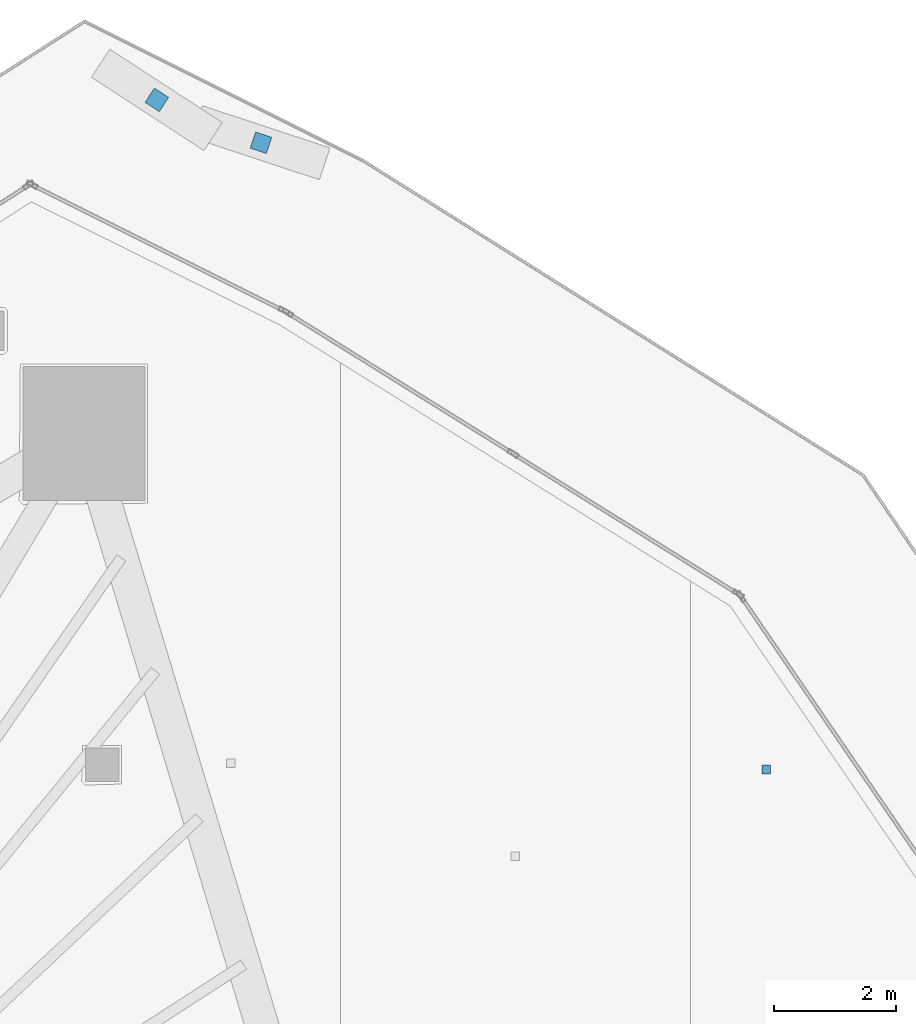
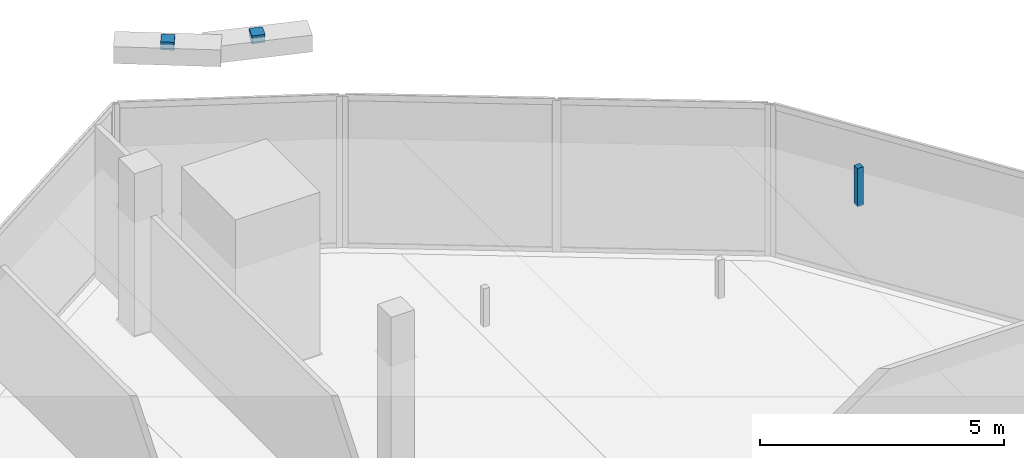
# One storey, part 32 of 39: 3 discrete accessories.
"""IFC4 building model written with IfcOpenShell, lengths in metres."""

from ifc_helpers import new_model, si_unit, direction, frame, origin, origin_2d, place, context, subcontext, project, spatial, rectangle, extrude, material, type_object, element, save


model = new_model("IFC4")

# Units and contexts
model_context = context("Model", 3, precision=1e-05, world=origin(), true_north=direction((0.0, 1.0)))
body_context = subcontext(model_context, "Body", "Model", "MODEL_VIEW")
ifc_project = project(units=[si_unit("LENGTHUNIT", "METRE"), si_unit("AREAUNIT", "SQUARE_METRE"), si_unit("VOLUMEUNIT", "CUBIC_METRE"), si_unit("PLANEANGLEUNIT", "RADIAN"), si_unit("MASSUNIT", "GRAM", prefix="KILO")], contexts=[model_context])

# Site, building, storey
site_placement = place(None, origin())
site = spatial("IfcSite", under=ifc_project, at=site_placement, CompositionType="ELEMENT")
building_placement = place(site_placement, origin())
building = spatial("IfcBuilding", under=site, at=building_placement, Name="Qorvath Tower", CompositionType="ELEMENT")
storey_placement = place(building_placement, frame((0.0, 0.0, 162.449951171875)))
storey = spatial("IfcBuildingStorey", under=building, at=storey_placement, Name="L37", CompositionType="ELEMENT", Elevation=162.449951171875)

# Discrete accessories
ifc_material = material(Name="Galvanised steel bracket", Category="steel")
discrete_accessory_type = type_object("IfcDiscreteAccessoryType", Name="DA-BRACKET", PredefinedType="BRACKET", material=ifc_material)
for number, where, z_axis, x_axis, name in (
    (1, (-12.441650390625, 30.01220703125, 3.64013671875), (0.0, 0.0, 1.0), (-0.949413420497, 0.314028911057, 0.0), "Louvre Wave Support Bracket L37-05"),
    (2, (-14.147705078125, 30.71484375, 3.64013671875), (0.0, 0.0, 1.0), (-0.8379569188, 0.545736385296, 0.0), "Louvre Wave Support Bracket L37-06"),
):
    element("IfcDiscreteAccessory", number, at=place(storey_placement, frame(where, z_axis=z_axis, x_axis=x_axis)), inside=storey, type_object=discrete_accessory_type, Name=name, PredefinedType="NOTDEFINED", context=body_context, shape_type="SweptSolid", body=[
        extrude(rectangle(XDim=0.280029296875, YDim=0.280029296875, at=origin_2d()), origin(), (0.0, 0.0, 1.0), 0.199951171875),
    ])
discrete_accessory_placement = place(storey_placement, frame((-4.160888671875, 19.738525390625, 2.85986328125), z_axis=(0.0, 0.0, 1.0), x_axis=(1.0, 0.0, 0.0)))
element("IfcDiscreteAccessory", 3, at=discrete_accessory_placement, inside=storey, type_object=discrete_accessory_type, Name="Acoustic Ceiling Suspension Hanger T1-L37-021", PredefinedType="NOTDEFINED", context=body_context, shape_type="SweptSolid", body=[
    extrude(rectangle(XDim=0.139892578125, YDim=0.139892578125, at=origin_2d()), origin(), (0.0, 0.0, 1.0), 0.949951171875),
])

save(model, "model.ifc")
